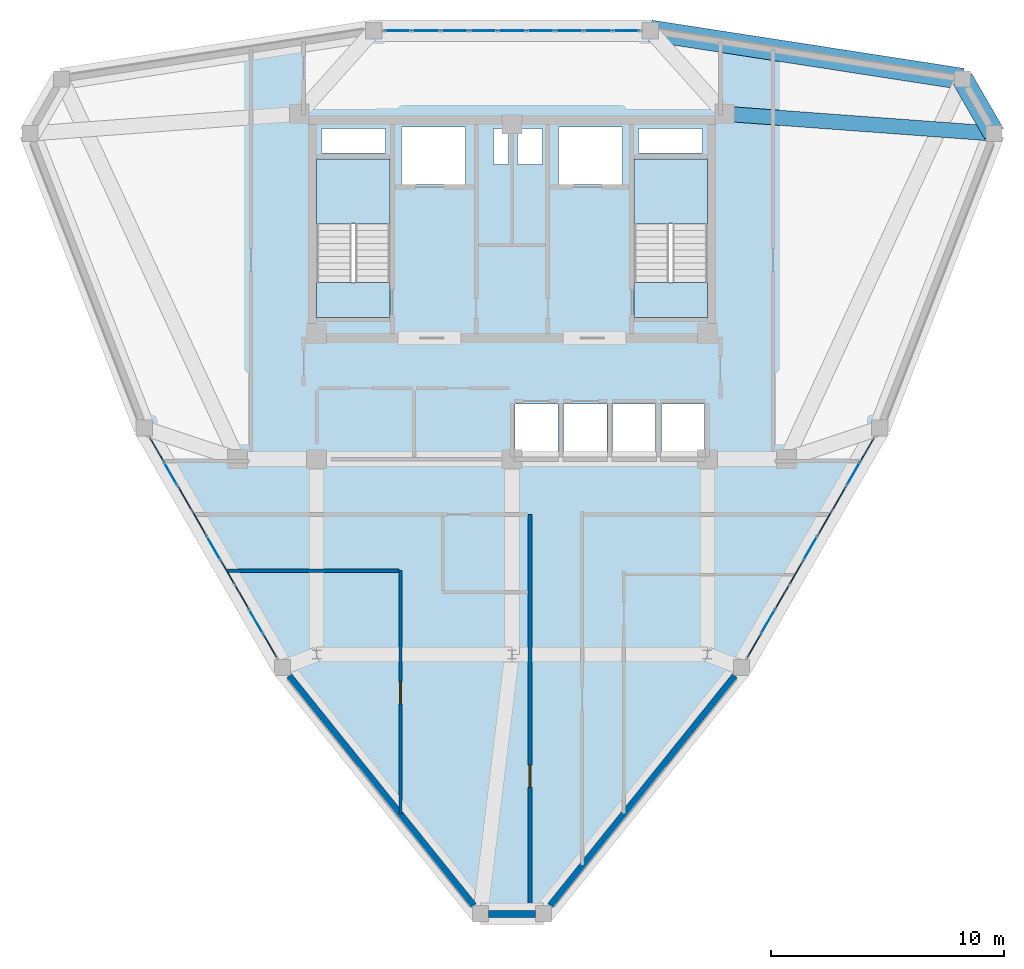
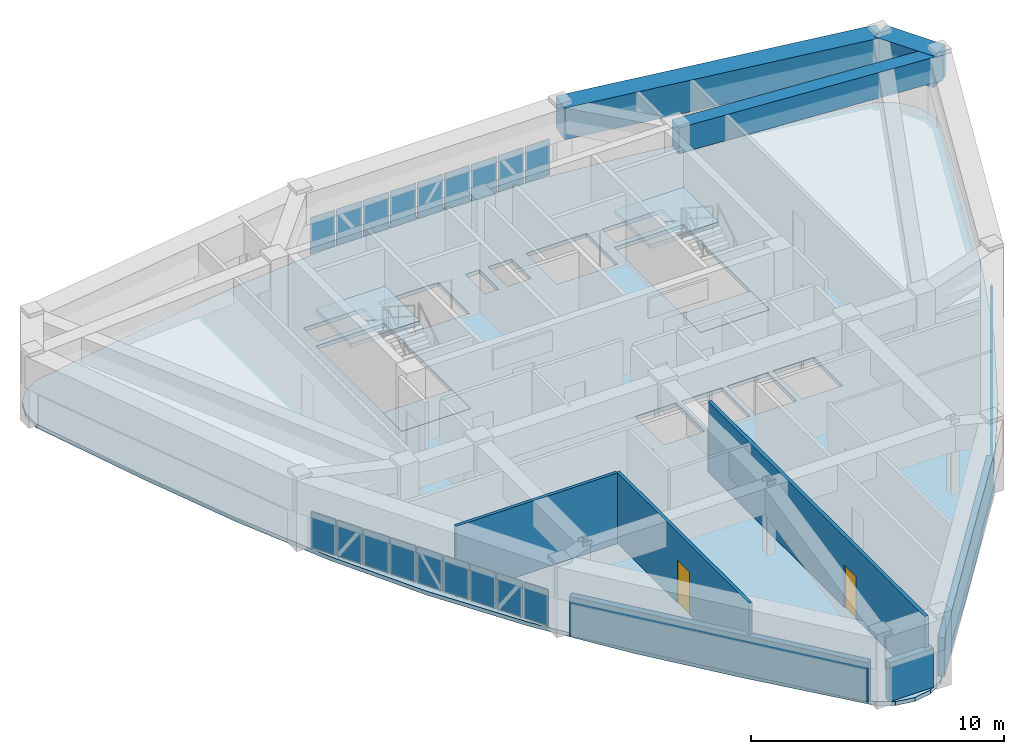
# One storey, part 10 of 14: 27 plates, 6 walls, 5 slabs, 3 beams, 2 doors, 2 openings, 5 elements without a shape of their own.
"""IFC4 building model written with IfcOpenShell, lengths in metres."""

from ifc_helpers import new_model, si_unit, derived_unit, direction, frame, frame_2d, origin, origin_2d, place, context, subcontext, project, spatial, polyline, rectangle, outline, extrude, source, transform, mapped, material, layer, layer_set, material_profile, profile_set, type_object, element, fill, aggregate, save


model = new_model("IFC4")

# Units and contexts
model_context = context("Model", 3, precision=1e-05, world=origin(), true_north=direction((0.0, 1.0)))
body_context = subcontext(model_context, "Body", "Model", "MODEL_VIEW")
ifc_project = project(units=[si_unit("LENGTHUNIT", "METRE"), si_unit("AREAUNIT", "SQUARE_METRE"), si_unit("VOLUMEUNIT", "CUBIC_METRE"), si_unit("PLANEANGLEUNIT", "RADIAN"), si_unit("MASSUNIT", "GRAM", prefix="KILO"), derived_unit("THERMALTRANSMITTANCEUNIT", [(si_unit("POWERUNIT", "WATT"), 1), (si_unit("LENGTHUNIT", "METRE"), -2), (si_unit("THERMODYNAMICTEMPERATUREUNIT", "KELVIN"), -1)])], contexts=[model_context])

# Site, building, storey
site_placement = place(None, origin())
site = spatial("IfcSite", under=ifc_project, at=site_placement, CompositionType="ELEMENT")
building_placement = place(site_placement, origin())
building = spatial("IfcBuilding", under=site, at=building_placement, Name="Korsvarv Bourse and Concert Hall", CompositionType="ELEMENT")
storey_placement = place(building_placement, frame((0.0, 0.0, 253.800048828125)))
storey = spatial("IfcBuildingStorey", under=building, at=storey_placement, Name="L66", CompositionType="ELEMENT", Elevation=253.800048828125)

# Beams
ifc_material_1 = material(Name="Concrete C50/60", Category="concrete")
ifc_material_profile_1 = material_profile(ifc_material_1, rectangle(XDim=0.919921875, YDim=1.530029296875, at=origin_2d()), Name="RC-BM 920x1530")
ifc_profile_set_1 = profile_set([ifc_material_profile_1], Name="Concrete C50/60")
beam_type_1 = type_object("IfcBeamType", Name="BM-TR-154", PredefinedType="BEAM", material=ifc_profile_set_1)
shared_shape_1 = source(origin(), body_context, "Body", "SweptSolid", [
    extrude(rectangle(XDim=0.919921875, YDim=1.530029296875, at=origin_2d()), origin(), (0.0, 0.0, 1.0), 2.71337890625),
])
beam_1_placement = place(storey_placement, frame((56.72509765625, 46.399169921875, 2.64501953125), z_axis=(-0.500000246922, 0.866025261224, 0.0), x_axis=(-0.866025261224, -0.500000246922, 0.0)))
element("IfcBeam", 1, at=beam_1_placement, inside=storey, type_object=beam_type_1, Name="L66 beam B-TR6", PredefinedType="BEAM", context=body_context, shape_type="MappedRepresentation", body=[
    mapped(shared_shape_1, transform((0.0, 0.0, 0.0), scale=1.0)),
])
shared_shape_2 = source(origin(), body_context, "Body", "SweptSolid", [
    extrude(rectangle(XDim=0.919921875, YDim=1.530029296875, at=origin_2d()), origin(), (0.0, 0.0, 1.0), 13.581787109375),
])
beam_2_placement = place(storey_placement, frame((55.368408203125, 48.7490234375, 2.64501953125), z_axis=(-0.988275075433, 0.152683906414, 0.0), x_axis=(-0.152683906414, -0.988275075433, 0.0)))
element("IfcBeam", 2, at=beam_2_placement, inside=storey, type_object=beam_type_1, Name="L66 beam B-TR6", PredefinedType="BEAM", context=body_context, shape_type="MappedRepresentation", body=[
    mapped(shared_shape_2, transform((0.0, 0.0, 0.0), scale=1.0)),
])
ifc_material_profile_2 = material_profile(ifc_material_1, rectangle(XDim=0.64990234375, YDim=1.239990234375, at=origin_2d()), Name="RC-BM 650x1240")
ifc_profile_set_2 = profile_set([ifc_material_profile_2], Name="Concrete C50/60")
beam_type_2 = type_object("IfcBeamType", Name="BM-TR-SPN", PredefinedType="BEAM", material=ifc_profile_set_2)
shared_shape_3 = source(origin(), body_context, "Body", "SweptSolid", [
    extrude(rectangle(XDim=0.64990234375, YDim=1.239990234375, at=origin_2d()), origin(), (0.0, 0.0, 1.0), 11.6064453125),
])
beam_3_placement = place(storey_placement, frame((56.72509765625, 46.399169921875, 2.7900390625), z_axis=(-0.997309434835, 0.073306829081, 0.0), x_axis=(-0.073306829081, -0.997309434835, 0.0)))
element("IfcBeam", 3, at=beam_3_placement, inside=storey, type_object=beam_type_2, Name="L66 beam B-TRS", PredefinedType="BEAM", context=body_context, shape_type="MappedRepresentation", body=[
    mapped(shared_shape_3, transform((0.0, 0.0, 0.0), scale=1.0)),
])

# Slabs
ifc_material_2 = material(Name="Precast concrete C45/55", Category="concrete")
ifc_layer_1 = layer(ifc_material_2, 0.199951171875)
ifc_layer_set_1 = layer_set([ifc_layer_1], Name="Precast concrete C45/55")
slab_type_1 = type_object("IfcSlabType", Name="SLB-FLND-T", PredefinedType="LANDING", material=ifc_layer_set_1)
slab_1_placement = place(storey_placement, frame((0.0, 0.0, -0.199951171875)))
element("IfcSlab", 4, at=slab_1_placement, inside=storey, type_object=slab_type_1, Name="L66 Stair ST-T1 Floor Landing Slab", PredefinedType="LANDING", context=body_context, shape_type="SweptSolid", body=[
    extrude(outline(polyline([(30.760009765625, 38.5), (30.760009765625, 40.0), (27.60009765625, 40.0), (27.60009765625, 38.5), (30.760009765625, 38.5)])), origin(), (0.0, 0.0, 1.0), 0.199951171875),
])
slab_2_placement = place(storey_placement, frame((0.0, 0.0, -0.199951171875)))
element("IfcSlab", 5, at=slab_2_placement, inside=storey, type_object=slab_type_1, Name="L66 Stair ST-T2 Floor Landing Slab", PredefinedType="LANDING", context=body_context, shape_type="SweptSolid", body=[
    extrude(outline(polyline([(44.39990234375, 38.5), (44.39990234375, 40.0), (41.239990234375, 40.0), (41.239990234375, 38.5), (44.39990234375, 38.5)])), origin(), (0.0, 0.0, 1.0), 0.199951171875),
])

# Stair, slab
stair_type = type_object("IfcStairType", Name="STR-TYPE-04", PredefinedType="HALF_TURN_STAIR", material=ifc_material_2)
stair_1_placement = place(storey_placement, origin())
stair_1 = element("IfcStair", 6, at=stair_1_placement, inside=storey, type_object=stair_type, Name="L66 Tower West Exit Stair ST-T1", PredefinedType="HALF_TURN_STAIR")
ifc_layer_2 = layer(ifc_material_2, 0.199951171875)
ifc_layer_set_2 = layer_set([ifc_layer_2], Name="Precast concrete C45/55")
slab_type_2 = type_object("IfcSlabType", Name="SLB-ST-LND", PredefinedType="LANDING", material=ifc_layer_set_2)
slab_3_placement = place(storey_placement, frame((0.0, 0.0, 1.599853515625)))
slab_3 = element("IfcSlab", 7, at=slab_3_placement, type_object=slab_type_2, Name="ST-T1 landing 1", PredefinedType="LANDING", context=body_context, shape_type="SweptSolid", body=[
    extrude(outline(polyline([(30.760009765625, 42.52001953125), (30.760009765625, 45.300048828125), (27.60009765625, 45.300048828125), (27.60009765625, 42.52001953125), (30.760009765625, 42.52001953125)])), origin(), (0.0, 0.0, 1.0), 0.2001953125),
])
aggregate(stair_1, [slab_3])

stair_2_placement = place(storey_placement, origin())
stair_2 = element("IfcStair", 8, at=stair_2_placement, inside=storey, type_object=stair_type, Name="L66 Tower East Exit Stair ST-T2", PredefinedType="HALF_TURN_STAIR")
slab_4_placement = place(storey_placement, frame((0.0, 0.0, 1.599853515625)))
slab_4 = element("IfcSlab", 9, at=slab_4_placement, type_object=slab_type_2, Name="ST-T2 landing 1", PredefinedType="LANDING", context=body_context, shape_type="SweptSolid", body=[
    extrude(outline(polyline([(44.39990234375, 42.52001953125), (44.39990234375, 45.300048828125), (41.239990234375, 45.300048828125), (41.239990234375, 42.52001953125), (44.39990234375, 42.52001953125)])), origin(), (0.0, 0.0, 1.0), 0.2001953125),
])
aggregate(stair_2, [slab_4])

# Slab
ifc_material_3 = material(Name="Concrete C45/55", Category="concrete")
ifc_layer_3 = layer(ifc_material_3, 0.18994140625)
ifc_layer_set_3 = layer_set([ifc_layer_3], Name="Concrete C45/55")
slab_type_3 = type_object("IfcSlabType", Name="SLB-TW3", PredefinedType="FLOOR", material=ifc_layer_set_3)
slab_5_placement = place(storey_placement, frame((0.0, 0.0, -0.18994140625)))
element("IfcSlab", 10, at=slab_5_placement, inside=storey, type_object=slab_type_3, Name="L66 tower structural floor slab", PredefinedType="FLOOR", context=body_context, shape_type="SweptSolid", body=[
    extrude(outline(polyline([(56.33544921875, 45.296142578125), (54.7470703125, 40.9228515625), (53.059814453125, 36.63134765625), (51.1826171875, 32.468994140625), (49.05419921875, 28.463134765625), (46.6494140625, 24.61669921875), (43.983154296875, 20.91015625), (41.110107421875, 17.302978515625), (38.11669921875, 13.740478515625), (37.496826171875, 13.001953125), (36.79638671875, 12.59765625), (36.0, 12.457275390625), (35.20361328125, 12.59765625), (34.503173828125, 13.001953125), (33.883056640625, 13.740966796875), (30.889892578125, 17.302978515625), (28.016845703125, 20.91015625), (25.3505859375, 24.61669921875), (22.94580078125, 28.463134765625), (20.8173828125, 32.468994140625), (18.940185546875, 36.63134765625), (17.2529296875, 40.9228515625), (15.664306640625, 45.296875), (15.334716796875, 46.20263671875), (15.334716796875, 47.011474609375), (15.611328125, 47.771484375), (16.131103515625, 48.39111328125), (16.83154296875, 48.79541015625), (17.781494140625, 48.962890625), (22.363037109375, 49.774169921875), (26.92333984375, 50.45849609375), (31.466552734375, 50.9140625), (36.0, 51.07373046875), (40.533447265625, 50.9140625), (45.07666015625, 50.45849609375), (49.636962890625, 49.774169921875), (54.218994140625, 48.962890625), (55.16845703125, 48.79541015625), (55.868896484375, 48.39111328125), (56.388671875, 47.771484375), (56.665283203125, 47.011474609375), (56.665283203125, 46.20263671875), (56.33544921875, 45.296142578125)]), holes=[polyline([(30.760009765625, 38.5), (30.760009765625, 45.300048828125), (27.60009765625, 45.300048828125), (27.60009765625, 38.5), (30.760009765625, 38.5)]), polyline([(44.39990234375, 38.5), (44.39990234375, 45.300048828125), (41.239990234375, 45.300048828125), (41.239990234375, 38.5), (44.39990234375, 38.5)]), polyline([(31.239990234375, 44.219970703125), (34.0, 44.219970703125), (34.0, 46.679931640625), (31.239990234375, 46.679931640625), (31.239990234375, 44.219970703125)]), polyline([(38.0, 44.219970703125), (40.760009765625, 44.219970703125), (40.760009765625, 46.679931640625), (38.0, 46.679931640625), (38.0, 44.219970703125)]), polyline([(36.1201171875, 32.52001953125), (37.97998046875, 32.52001953125), (37.97998046875, 34.780029296875), (36.1201171875, 34.780029296875), (36.1201171875, 32.52001953125)]), polyline([(38.219970703125, 32.52001953125), (40.080078125, 32.52001953125), (40.080078125, 34.780029296875), (38.219970703125, 34.780029296875), (38.219970703125, 32.52001953125)]), polyline([(40.320068359375, 32.52001953125), (42.179931640625, 32.52001953125), (42.179931640625, 34.780029296875), (40.320068359375, 34.780029296875), (40.320068359375, 32.52001953125)]), polyline([(42.419921875, 32.52001953125), (44.280029296875, 32.52001953125), (44.280029296875, 34.780029296875), (42.419921875, 34.780029296875), (42.419921875, 32.52001953125)]), polyline([(27.800048828125, 45.56005859375), (30.56005859375, 45.56005859375), (30.56005859375, 46.6201171875), (27.800048828125, 46.6201171875), (27.800048828125, 45.56005859375)]), polyline([(41.43994140625, 45.56005859375), (44.199951171875, 45.56005859375), (44.199951171875, 46.6201171875), (41.43994140625, 46.6201171875), (41.43994140625, 45.56005859375)]), polyline([(35.199951171875, 45.080078125), (35.840087890625, 45.080078125), (35.840087890625, 46.6201171875), (35.199951171875, 46.6201171875), (35.199951171875, 45.080078125)]), polyline([(36.239990234375, 45.080078125), (37.320068359375, 45.080078125), (37.320068359375, 46.6201171875), (36.239990234375, 46.6201171875), (36.239990234375, 45.080078125)])]), origin(), (0.0, 0.0, 1.0), 0.18994140625),
])

# Curtain wall, plates
ifc_material_4 = material(Name="Anodised aluminium and triple low-E glazing", Category="glass")
ifc_layer_4 = layer(ifc_material_4, 0.199951171875)
ifc_layer_set_4 = layer_set([ifc_layer_4], Name="Anodised aluminium and triple low-E glazing")
curtain_wall_type = type_object("IfcCurtainWallType", Name="CW-SYS-3", PredefinedType="NOTDEFINED", material=ifc_layer_set_4)
curtain_wall_1_placement = place(storey_placement, origin())
curtain_wall_1 = element("IfcCurtainWall", 11, at=curtain_wall_1_placement, inside=storey, type_object=curtain_wall_type, Name="L66 CW3 curtain wall CW-L66-F03", PredefinedType="NOTDEFINED")
ifc_material_5 = material(Name="Tempered triple insulated low-E architectural glass", Category="glass")
ifc_layer_5 = layer(ifc_material_5, 0.0380859375)
ifc_layer_set_5 = layer_set([ifc_layer_5], Name="Tempered triple insulated low-E architectural glass")
plate_type_1 = type_object("IfcPlateType", Name="CWP-VIS2", PredefinedType="CURTAIN_PANEL", material=ifc_layer_set_5)
shared_shape_4 = source(origin(), body_context, "Body", "SweptSolid", [
    extrude(rectangle(XDim=1.12744140625, YDim=0.0380859375, at=origin_2d()), origin(), (0.0, 0.0, 1.0), 1.75),
])
plate_1_placement = place(storey_placement, frame((40.912109375, 50.82275390625, 0.06494140625), z_axis=(0.0, 0.0, 1.0), x_axis=(-1.0, 0.0, 0.0)))
plate_1 = element("IfcPlate", 12, at=plate_1_placement, type_object=plate_type_1, Name="CW3 faceted panel 1.1", PredefinedType="CURTAIN_PANEL", context=body_context, shape_type="MappedRepresentation", body=[
    mapped(shared_shape_4, transform((0.0, 0.0, 0.0), scale=1.0)),
])
plate_2_placement = place(storey_placement, frame((31.087890625, 50.82275390625, 0.06494140625), z_axis=(0.0, 0.0, 1.0), x_axis=(-1.0, 0.0, 0.0)))
plate_2 = element("IfcPlate", 13, at=plate_2_placement, type_object=plate_type_1, Name="CW3 faceted panel 9.1", PredefinedType="CURTAIN_PANEL", context=body_context, shape_type="MappedRepresentation", body=[
    mapped(shared_shape_4, transform((0.0, 0.0, 0.0), scale=1.0)),
])
ifc_material_6 = material(Name="Insulated spandrel glass", Category="glass")
ifc_layer_6 = layer(ifc_material_6, 0.031982421875)
ifc_layer_set_6 = layer_set([ifc_layer_6], Name="Insulated spandrel glass")
plate_type_2 = type_object("IfcPlateType", Name="CWP-SPD1", PredefinedType="CURTAIN_PANEL", material=ifc_layer_set_6)
shared_shape_5 = source(origin(), body_context, "Body", "SweptSolid", [
    extrude(rectangle(XDim=1.162353515625, YDim=0.031982421875, at=origin_2d()), origin(), (0.0, 0.0, 1.0), 1.75),
])
plate_3_placement = place(storey_placement, frame((39.697021484375, 50.82275390625, 0.06494140625), z_axis=(0.0, 0.0, 1.0), x_axis=(-1.0, 0.0, 0.0)))
plate_3 = element("IfcPlate", 14, at=plate_3_placement, type_object=plate_type_2, Name="CW3 spandrel shadow-box panel 2.1", PredefinedType="CURTAIN_PANEL", context=body_context, shape_type="MappedRepresentation", body=[
    mapped(shared_shape_5, transform((0.0, 0.0, 0.0), scale=1.0)),
])
plate_4_placement = place(storey_placement, frame((36.0, 50.82275390625, 0.06494140625), z_axis=(0.0, 0.0, 1.0), x_axis=(-1.0, 0.0, 0.0)))
plate_4 = element("IfcPlate", 15, at=plate_4_placement, type_object=plate_type_2, Name="CW3 spandrel shadow-box panel 5.1", PredefinedType="CURTAIN_PANEL", context=body_context, shape_type="MappedRepresentation", body=[
    mapped(shared_shape_5, transform((0.0, 0.0, 0.0), scale=1.0)),
])
plate_5_placement = place(storey_placement, frame((32.302978515625, 50.82275390625, 0.06494140625), z_axis=(0.0, 0.0, 1.0), x_axis=(-1.0, 0.0, 0.0)))
plate_5 = element("IfcPlate", 16, at=plate_5_placement, type_object=plate_type_2, Name="CW3 spandrel shadow-box panel 8.1", PredefinedType="CURTAIN_PANEL", context=body_context, shape_type="MappedRepresentation", body=[
    mapped(shared_shape_5, transform((0.0, 0.0, 0.0), scale=1.0)),
])
shared_shape_6 = source(origin(), body_context, "Body", "SweptSolid", [
    extrude(rectangle(XDim=1.162353515625, YDim=0.0380859375, at=origin_2d()), origin(), (0.0, 0.0, 1.0), 1.75),
])
plate_6_placement = place(storey_placement, frame((38.46484375, 50.82275390625, 0.06494140625), z_axis=(0.0, 0.0, 1.0), x_axis=(-1.0, 0.0, 0.0)))
plate_6 = element("IfcPlate", 17, at=plate_6_placement, type_object=plate_type_1, Name="CW3 faceted panel 3.1", PredefinedType="CURTAIN_PANEL", context=body_context, shape_type="MappedRepresentation", body=[
    mapped(shared_shape_6, transform((0.0, 0.0, 0.0), scale=1.0)),
])
plate_7_placement = place(storey_placement, frame((37.232421875, 50.82275390625, 0.06494140625), z_axis=(0.0, 0.0, 1.0), x_axis=(-1.0, 0.0, 0.0)))
plate_7 = element("IfcPlate", 18, at=plate_7_placement, type_object=plate_type_1, Name="CW3 faceted panel 4.1", PredefinedType="CURTAIN_PANEL", context=body_context, shape_type="MappedRepresentation", body=[
    mapped(shared_shape_6, transform((0.0, 0.0, 0.0), scale=1.0)),
])
plate_8_placement = place(storey_placement, frame((34.767578125, 50.82275390625, 0.06494140625), z_axis=(0.0, 0.0, 1.0), x_axis=(-1.0, 0.0, 0.0)))
plate_8 = element("IfcPlate", 19, at=plate_8_placement, type_object=plate_type_1, Name="CW3 faceted panel 6.1", PredefinedType="CURTAIN_PANEL", context=body_context, shape_type="MappedRepresentation", body=[
    mapped(shared_shape_6, transform((0.0, 0.0, 0.0), scale=1.0)),
])
plate_9_placement = place(storey_placement, frame((33.53515625, 50.82275390625, 0.06494140625), z_axis=(0.0, 0.0, 1.0), x_axis=(-1.0, 0.0, 0.0)))
plate_9 = element("IfcPlate", 20, at=plate_9_placement, type_object=plate_type_1, Name="CW3 faceted panel 7.1", PredefinedType="CURTAIN_PANEL", context=body_context, shape_type="MappedRepresentation", body=[
    mapped(shared_shape_6, transform((0.0, 0.0, 0.0), scale=1.0)),
])
aggregate(curtain_wall_1, [plate_1, plate_3, plate_6, plate_7, plate_4, plate_8, plate_9, plate_5, plate_2])

curtain_wall_2_placement = place(storey_placement, origin())
curtain_wall_2 = element("IfcCurtainWall", 21, at=curtain_wall_2_placement, inside=storey, type_object=curtain_wall_type, Name="L66 CW3 curtain wall CW-L66-F07", PredefinedType="NOTDEFINED")
shared_shape_7 = source(origin(), body_context, "Body", "SweptSolid", [
    extrude(rectangle(XDim=1.113525390625, YDim=0.0380859375, at=origin_2d()), origin(), (0.0, 0.0, 1.0), 1.75),
])
plate_10_placement = place(storey_placement, frame((20.734619140625, 32.794921875, 0.06494140625), z_axis=(0.0, 0.0, 1.0), x_axis=(0.500003688417, -0.866023274265, 0.0)))
plate_10 = element("IfcPlate", 22, at=plate_10_placement, type_object=plate_type_1, Name="CW3 faceted panel 1.1", PredefinedType="CURTAIN_PANEL", context=body_context, shape_type="MappedRepresentation", body=[
    mapped(shared_shape_7, transform((0.0, 0.0, 0.0), scale=1.0)),
])
plate_11_placement = place(storey_placement, frame((25.591796875, 24.38232421875, 0.06494140625), z_axis=(0.0, 0.0, 1.0), x_axis=(0.500003688417, -0.866023274265, 0.0)))
plate_11 = element("IfcPlate", 23, at=plate_11_placement, type_object=plate_type_1, Name="CW3 faceted panel 9.1", PredefinedType="CURTAIN_PANEL", context=body_context, shape_type="MappedRepresentation", body=[
    mapped(shared_shape_7, transform((0.0, 0.0, 0.0), scale=1.0)),
])

curtain_wall_3_placement = place(storey_placement, origin())
curtain_wall_3 = element("IfcCurtainWall", 24, at=curtain_wall_3_placement, inside=storey, type_object=curtain_wall_type, Name="L66 CW3 curtain wall CW-L66-F11", PredefinedType="NOTDEFINED")
plate_12_placement = place(storey_placement, frame((46.408203125, 24.38232421875, 0.06494140625), z_axis=(0.0, 0.0, 1.0), x_axis=(0.500003688417, 0.866023274265, 0.0)))
plate_12 = element("IfcPlate", 25, at=plate_12_placement, type_object=plate_type_1, Name="CW3 faceted panel 1.1", PredefinedType="CURTAIN_PANEL", context=body_context, shape_type="MappedRepresentation", body=[
    mapped(shared_shape_7, transform((0.0, 0.0, 0.0), scale=1.0)),
])
plate_13_placement = place(storey_placement, frame((51.265380859375, 32.794921875, 0.06494140625), z_axis=(0.0, 0.0, 1.0), x_axis=(0.500003688417, 0.866023274265, 0.0)))
plate_13 = element("IfcPlate", 26, at=plate_13_placement, type_object=plate_type_1, Name="CW3 faceted panel 9.1", PredefinedType="CURTAIN_PANEL", context=body_context, shape_type="MappedRepresentation", body=[
    mapped(shared_shape_7, transform((0.0, 0.0, 0.0), scale=1.0)),
])

# Plate
shared_shape_8 = source(origin(), body_context, "Body", "SweptSolid", [
    extrude(rectangle(XDim=1.148681640625, YDim=0.031982421875, at=origin_2d()), origin(), (0.0, 0.0, 1.0), 1.75),
])
plate_14_placement = place(storey_placement, frame((21.335205078125, 31.754638671875, 0.06494140625), z_axis=(0.0, 0.0, 1.0), x_axis=(0.500003688417, -0.866023274265, 0.0)))
plate_14 = element("IfcPlate", 27, at=plate_14_placement, type_object=plate_type_2, Name="CW3 spandrel shadow-box panel 2.1", PredefinedType="CURTAIN_PANEL", context=body_context, shape_type="MappedRepresentation", body=[
    mapped(shared_shape_8, transform((0.0, 0.0, 0.0), scale=1.0)),
])

plate_15_placement = place(storey_placement, frame((23.1630859375, 28.588623046875, 0.06494140625), z_axis=(0.0, 0.0, 1.0), x_axis=(0.500003688417, -0.866023274265, 0.0)))
plate_15 = element("IfcPlate", 28, at=plate_15_placement, type_object=plate_type_2, Name="CW3 spandrel shadow-box panel 5.1", PredefinedType="CURTAIN_PANEL", context=body_context, shape_type="MappedRepresentation", body=[
    mapped(shared_shape_8, transform((0.0, 0.0, 0.0), scale=1.0)),
])

plate_16_placement = place(storey_placement, frame((24.9912109375, 25.422607421875, 0.06494140625), z_axis=(0.0, 0.0, 1.0), x_axis=(0.500003688417, -0.866023274265, 0.0)))
plate_16 = element("IfcPlate", 29, at=plate_16_placement, type_object=plate_type_2, Name="CW3 spandrel shadow-box panel 8.1", PredefinedType="CURTAIN_PANEL", context=body_context, shape_type="MappedRepresentation", body=[
    mapped(shared_shape_8, transform((0.0, 0.0, 0.0), scale=1.0)),
])

plate_17_placement = place(storey_placement, frame((47.0087890625, 25.422607421875, 0.06494140625), z_axis=(0.0, 0.0, 1.0), x_axis=(0.500003688417, 0.866023274265, 0.0)))
plate_17 = element("IfcPlate", 30, at=plate_17_placement, type_object=plate_type_2, Name="CW3 spandrel shadow-box panel 2.1", PredefinedType="CURTAIN_PANEL", context=body_context, shape_type="MappedRepresentation", body=[
    mapped(shared_shape_8, transform((0.0, 0.0, 0.0), scale=1.0)),
])

plate_18_placement = place(storey_placement, frame((48.8369140625, 28.588623046875, 0.06494140625), z_axis=(0.0, 0.0, 1.0), x_axis=(0.500003688417, 0.866023274265, 0.0)))
plate_18 = element("IfcPlate", 31, at=plate_18_placement, type_object=plate_type_2, Name="CW3 spandrel shadow-box panel 5.1", PredefinedType="CURTAIN_PANEL", context=body_context, shape_type="MappedRepresentation", body=[
    mapped(shared_shape_8, transform((0.0, 0.0, 0.0), scale=1.0)),
])

plate_19_placement = place(storey_placement, frame((50.664794921875, 31.754638671875, 0.06494140625), z_axis=(0.0, 0.0, 1.0), x_axis=(0.500003688417, 0.866023274265, 0.0)))
plate_19 = element("IfcPlate", 32, at=plate_19_placement, type_object=plate_type_2, Name="CW3 spandrel shadow-box panel 8.1", PredefinedType="CURTAIN_PANEL", context=body_context, shape_type="MappedRepresentation", body=[
    mapped(shared_shape_8, transform((0.0, 0.0, 0.0), scale=1.0)),
])

shared_shape_9 = source(origin(), body_context, "Body", "SweptSolid", [
    extrude(rectangle(XDim=1.148681640625, YDim=0.0380859375, at=origin_2d()), origin(), (0.0, 0.0, 1.0), 1.75),
])
plate_20_placement = place(storey_placement, frame((21.944580078125, 30.699462890625, 0.06494140625), z_axis=(0.0, 0.0, 1.0), x_axis=(0.500003688417, -0.866023274265, 0.0)))
plate_20 = element("IfcPlate", 33, at=plate_20_placement, type_object=plate_type_1, Name="CW3 faceted panel 3.1", PredefinedType="CURTAIN_PANEL", context=body_context, shape_type="MappedRepresentation", body=[
    mapped(shared_shape_9, transform((0.0, 0.0, 0.0), scale=1.0)),
])

plate_21_placement = place(storey_placement, frame((22.5537109375, 29.64404296875, 0.06494140625), z_axis=(0.0, 0.0, 1.0), x_axis=(0.500003688417, -0.866023274265, 0.0)))
plate_21 = element("IfcPlate", 34, at=plate_21_placement, type_object=plate_type_1, Name="CW3 faceted panel 4.1", PredefinedType="CURTAIN_PANEL", context=body_context, shape_type="MappedRepresentation", body=[
    mapped(shared_shape_9, transform((0.0, 0.0, 0.0), scale=1.0)),
])

plate_22_placement = place(storey_placement, frame((23.7724609375, 27.533203125, 0.06494140625), z_axis=(0.0, 0.0, 1.0), x_axis=(0.500003688417, -0.866023274265, 0.0)))
plate_22 = element("IfcPlate", 35, at=plate_22_placement, type_object=plate_type_1, Name="CW3 faceted panel 6.1", PredefinedType="CURTAIN_PANEL", context=body_context, shape_type="MappedRepresentation", body=[
    mapped(shared_shape_9, transform((0.0, 0.0, 0.0), scale=1.0)),
])

plate_23_placement = place(storey_placement, frame((24.3818359375, 26.47802734375, 0.06494140625), z_axis=(0.0, 0.0, 1.0), x_axis=(0.500003688417, -0.866023274265, 0.0)))
plate_23 = element("IfcPlate", 36, at=plate_23_placement, type_object=plate_type_1, Name="CW3 faceted panel 7.1", PredefinedType="CURTAIN_PANEL", context=body_context, shape_type="MappedRepresentation", body=[
    mapped(shared_shape_9, transform((0.0, 0.0, 0.0), scale=1.0)),
])

aggregate(curtain_wall_2, [plate_10, plate_14, plate_20, plate_21, plate_15, plate_22, plate_23, plate_16, plate_11])

plate_24_placement = place(storey_placement, frame((47.6181640625, 26.47802734375, 0.06494140625), z_axis=(0.0, 0.0, 1.0), x_axis=(0.500003688417, 0.866023274265, 0.0)))
plate_24 = element("IfcPlate", 37, at=plate_24_placement, type_object=plate_type_1, Name="CW3 faceted panel 3.1", PredefinedType="CURTAIN_PANEL", context=body_context, shape_type="MappedRepresentation", body=[
    mapped(shared_shape_9, transform((0.0, 0.0, 0.0), scale=1.0)),
])

plate_25_placement = place(storey_placement, frame((48.2275390625, 27.533203125, 0.06494140625), z_axis=(0.0, 0.0, 1.0), x_axis=(0.500003688417, 0.866023274265, 0.0)))
plate_25 = element("IfcPlate", 38, at=plate_25_placement, type_object=plate_type_1, Name="CW3 faceted panel 4.1", PredefinedType="CURTAIN_PANEL", context=body_context, shape_type="MappedRepresentation", body=[
    mapped(shared_shape_9, transform((0.0, 0.0, 0.0), scale=1.0)),
])

plate_26_placement = place(storey_placement, frame((49.4462890625, 29.64404296875, 0.06494140625), z_axis=(0.0, 0.0, 1.0), x_axis=(0.500003688417, 0.866023274265, 0.0)))
plate_26 = element("IfcPlate", 39, at=plate_26_placement, type_object=plate_type_1, Name="CW3 faceted panel 6.1", PredefinedType="CURTAIN_PANEL", context=body_context, shape_type="MappedRepresentation", body=[
    mapped(shared_shape_9, transform((0.0, 0.0, 0.0), scale=1.0)),
])

plate_27_placement = place(storey_placement, frame((50.055419921875, 30.699462890625, 0.06494140625), z_axis=(0.0, 0.0, 1.0), x_axis=(0.500003688417, 0.866023274265, 0.0)))
plate_27 = element("IfcPlate", 40, at=plate_27_placement, type_object=plate_type_1, Name="CW3 faceted panel 7.1", PredefinedType="CURTAIN_PANEL", context=body_context, shape_type="MappedRepresentation", body=[
    mapped(shared_shape_9, transform((0.0, 0.0, 0.0), scale=1.0)),
])

aggregate(curtain_wall_3, [plate_12, plate_17, plate_24, plate_25, plate_18, plate_26, plate_27, plate_19, plate_13])

# Walls
ifc_material_7 = material(Name="Precast concrete C45/55 with terracotta rainscreen", Category="concrete")
ifc_layer_7 = layer(ifc_material_7, 0.300048828125)
ifc_layer_set_7 = layer_set([ifc_layer_7], Name="Precast concrete C45/55 with terracotta rainscreen")
wall_type_1 = type_object("IfcWallType", Name="WL-EXT-TC1", PredefinedType="SOLIDWALL", material=ifc_layer_set_7)
wall_1_placement = place(storey_placement, frame((34.998291015625, 12.851806640625, 0.0), z_axis=(0.0, 0.0, 1.0), x_axis=(1.0, 0.0, 0.0)))
element("IfcWall", 41, at=wall_1_placement, inside=storey, type_object=wall_type_1, Name="L66 terracotta exterior wall EW-L66-B09", PredefinedType="SOLIDWALL", context=body_context, shape_type="SweptSolid", body=[
    extrude(rectangle(XDim=2.00341796875, YDim=0.300048828125, at=frame_2d((1.001708984375, 0.0))), origin(), (0.0, 0.0, 1.0), 1.8798828125),
])
ifc_material_8 = material(Name="Precast concrete C45/55 with fluted terracotta pier", Category="concrete")
ifc_layer_8 = layer(ifc_material_8, 0.280029296875)
ifc_layer_set_8 = layer_set([ifc_layer_8], Name="Precast concrete C45/55 with fluted terracotta pier")
wall_type_2 = type_object("IfcWallType", Name="WL-EXT-TC2", PredefinedType="SOLIDWALL", material=ifc_layer_set_8)
for number, where, z_axis, x_axis, name in (
    (42, (26.421142578125, 23.08447265625, 0.0), (0.0, 0.0, 1.0), (0.626371247501, -0.77952489396, 0.0), "L66 terracotta exterior wall EW-L66-B08"),
    (43, (37.641845703125, 13.206787109375, 0.0), (0.0, 0.0, 1.0), (0.626371247501, 0.77952489396, 0.0), "L66 terracotta exterior wall EW-L66-B10"),
):
    element("IfcWall", number, at=place(storey_placement, frame(where, z_axis=z_axis, x_axis=x_axis)), inside=storey, type_object=wall_type_2, Name=name, PredefinedType="SOLIDWALL", context=body_context, shape_type="SweptSolid", body=[
        extrude(rectangle(XDim=12.67138671875, YDim=0.280029296875, at=frame_2d((6.335693359375, 0.0))), origin(), (0.0, 0.0, 1.0), 1.8798828125),
    ])

# Wall, opening, door
ifc_material_9 = material(Name="Double-stud fire-rated acoustic partition", Category="gypsum")
ifc_layer_9 = layer(ifc_material_9, 0.159912109375)
ifc_layer_set_9 = layer_set([ifc_layer_9], Name="Double-stud fire-rated acoustic partition")
wall_type_3 = type_object("IfcWallType", Name="WL-INT-EI60", PredefinedType="PARTITIONING", material=ifc_layer_set_9)
wall_2_placement = place(storey_placement, frame((36.77490234375, 12.871826171875, 0.0), z_axis=(0.0, 0.0, 1.0), x_axis=(0.0, 1.0, 0.0)))
wall_2 = element("IfcWall", 44, at=wall_2_placement, inside=storey, type_object=wall_type_3, Name="L66 interior partition wall W-L66-TCOR-03", PredefinedType="PARTITIONING", context=body_context, shape_type="SweptSolid", body=[
    extrude(rectangle(XDim=17.158203125, YDim=0.159912109375, at=frame_2d((8.5791015625, 0.0))), origin(), (0.0, 0.0, 1.0), 3.409912109375),
])
opening_1_placement = place(wall_2_placement, frame((5.42138671875, 0.0, 0.0)))
opening_1 = element("IfcOpeningElement", 45, at=opening_1_placement, cuts=wall_2, Name="Opening D-02", PredefinedType="OPENING", context=body_context, shape_type="SweptSolid", body=[
    extrude(rectangle(XDim=0.949951171875, YDim=2.050048828125, at=frame_2d((0.47509765625, 1.02490234375))), frame((0.0, 0.08984375, 0.0), z_axis=(0.0, -1.0, 0.0), x_axis=(1.0, 0.0, 0.0)), (0.0, 0.0, 1.0), 0.179931640625),
])
ifc_material_10 = material(Name="Timber and steel acoustic fire door", Category="wood")
door_type_1 = type_object("IfcDoorType", Name="DR-FD30", OperationType="NOTDEFINED", PredefinedType="DOOR", material=ifc_material_10)
door_1_placement = place(opening_1_placement, origin())
door_1 = element("IfcDoor", 46, at=door_1_placement, inside=storey, type_object=door_type_1, Name="L66 interior door DR-L66-TCOR-SWB6", OperationType="SINGLE_SWING_RIGHT", OverallHeight=2.050048828125, OverallWidth=0.949951171875, PredefinedType="DOOR", context=body_context, shape_type="SweptSolid", body=[
    extrude(rectangle(XDim=0.949951171875, YDim=2.050048828125, at=frame_2d((0.47509765625, 1.02490234375))), frame((0.0, 0.02490234375, 0.0), z_axis=(0.0, -1.0, 0.0), x_axis=(1.0, 0.0, 0.0)), (0.0, 0.0, 1.0), 0.050048828125),
])
fill(opening_1, door_1)

ifc_material_11 = material(Name="Insulated steel-stud office acoustic partition", Category="gypsum")
ifc_layer_10 = layer(ifc_material_11, 0.139892578125)
ifc_layer_set_10 = layer_set([ifc_layer_10], Name="Insulated steel-stud office acoustic partition")
wall_type_4 = type_object("IfcWallType", Name="WL-INT-P1", PredefinedType="PARTITIONING", material=ifc_layer_set_10)
wall_3_placement = place(storey_placement, frame((31.205078125, 17.15087890625, 0.0), z_axis=(0.0, 0.0, 1.0), x_axis=(0.0, 1.0, 0.0)))
wall_3 = element("IfcWall", 47, at=wall_3_placement, inside=storey, type_object=wall_type_4, Name="L66 interior partition wall W-L66-TCOR-11", PredefinedType="PARTITIONING", context=body_context, shape_type="SweptSolid", body=[
    extrude(rectangle(XDim=10.459228515625, YDim=0.139892578125, at=frame_2d((5.2294921875, 0.0))), origin(), (0.0, 0.0, 1.0), 3.409912109375),
])
opening_2_placement = place(wall_3_placement, frame((4.72265625, 0.0, 0.0)))
opening_2 = element("IfcOpeningElement", 48, at=opening_2_placement, cuts=wall_3, Name="Opening D-03", PredefinedType="OPENING", context=body_context, shape_type="SweptSolid", body=[
    extrude(rectangle(XDim=0.949951171875, YDim=2.050048828125, at=frame_2d((0.47509765625, 1.02490234375))), frame((0.0, 0.080078125, 0.0), z_axis=(0.0, -1.0, 0.0), x_axis=(1.0, 0.0, 0.0)), (0.0, 0.0, 1.0), 0.159912109375),
])
ifc_material_12 = material(Name="Nordic oak acoustic office door", Category="wood")
door_type_2 = type_object("IfcDoorType", Name="DR-INT-1", OperationType="NOTDEFINED", PredefinedType="DOOR", material=ifc_material_12)
door_2_placement = place(opening_2_placement, origin())
door_2 = element("IfcDoor", 49, at=door_2_placement, inside=storey, type_object=door_type_2, Name="L66 interior door DR-L66-TCOR-SAPW5", OperationType="SINGLE_SWING_RIGHT", OverallHeight=2.050048828125, OverallWidth=0.949951171875, PredefinedType="DOOR", context=body_context, shape_type="SweptSolid", body=[
    extrude(rectangle(XDim=0.949951171875, YDim=2.050048828125, at=frame_2d((0.47509765625, 1.02490234375))), frame((0.0, 0.02490234375, 0.0), z_axis=(0.0, -1.0, 0.0), x_axis=(1.0, 0.0, 0.0)), (0.0, 0.0, 1.0), 0.050048828125),
])
fill(opening_2, door_2)

# Wall
wall_4_placement = place(storey_placement, frame((23.751220703125, 27.60498046875, 0.0), z_axis=(0.0, 0.0, 1.0), x_axis=(1.0, 0.0, 0.0)))
element("IfcWall", 50, at=wall_4_placement, inside=storey, type_object=wall_type_4, Name="L66 interior partition wall W-L66-TCOR-13", PredefinedType="PARTITIONING", context=body_context, shape_type="SweptSolid", body=[
    extrude(rectangle(XDim=7.3818359375, YDim=0.139892578125, at=frame_2d((3.69091796875, 0.0))), origin(), (0.0, 0.0, 1.0), 3.409912109375),
])

save(model, "model.ifc")
